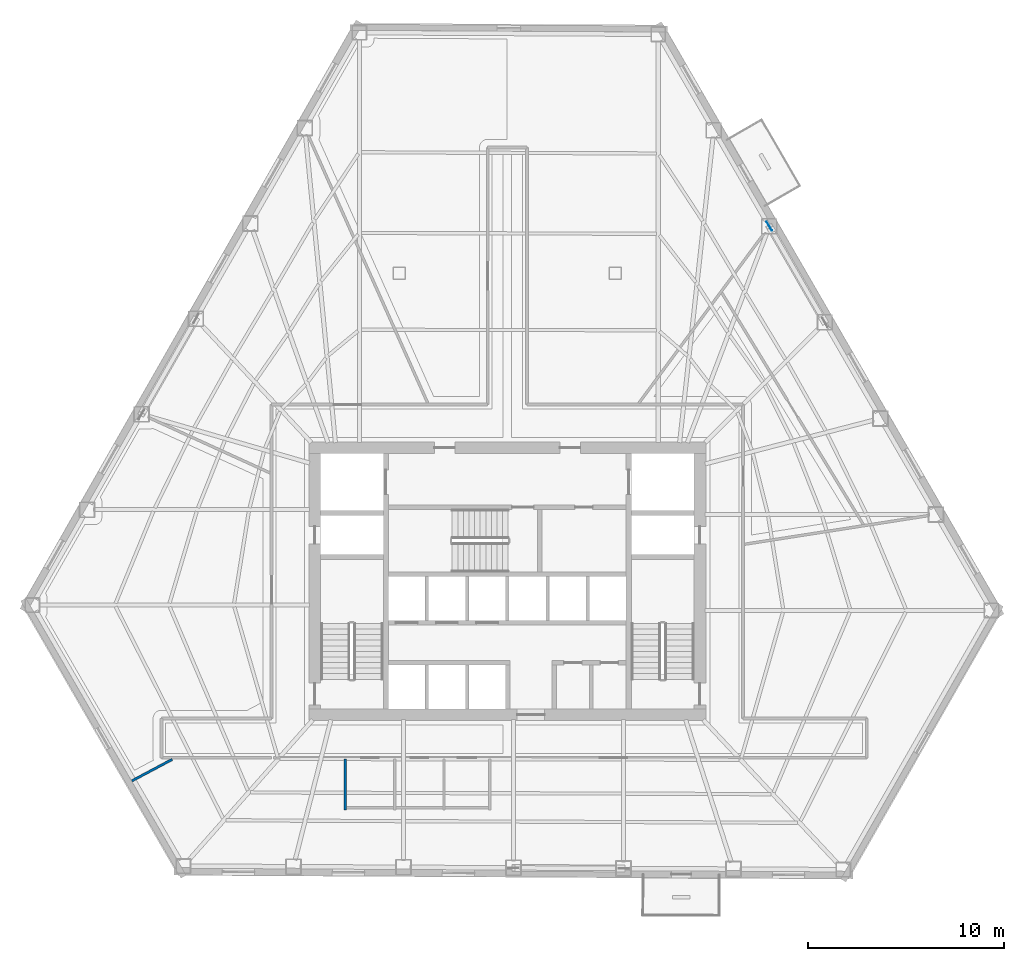
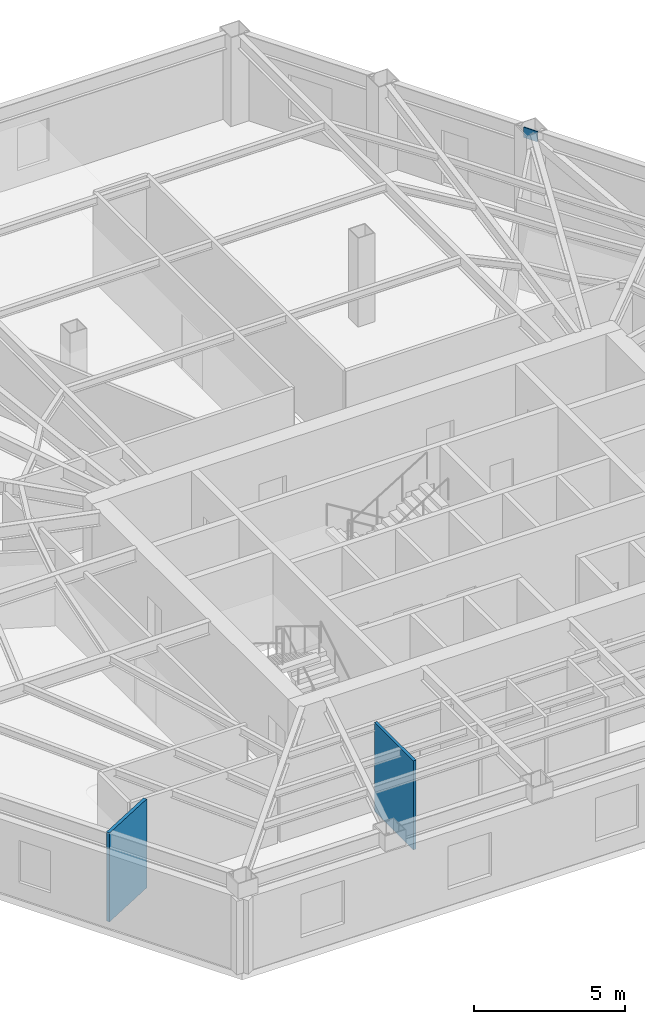
# One storey, part 5 of 12: 2 walls, 1 plate.
"""IFC4 building model written with IfcOpenShell, lengths in metres."""

from ifc_helpers import new_model, si_unit, direction, frame, frame_2d, origin, origin_2d, place, context, subcontext, project, spatial, rectangle, extrude, material, layer, layer_set, type_object, element, save


model = new_model("IFC4")

# Units and contexts
model_context = context("Model", 3, precision=1e-05, world=origin(), true_north=direction((0.0, 1.0)))
body_context = subcontext(model_context, "Body", "Model", "MODEL_VIEW")
ifc_project = project(units=[si_unit("LENGTHUNIT", "METRE"), si_unit("AREAUNIT", "SQUARE_METRE"), si_unit("VOLUMEUNIT", "CUBIC_METRE"), si_unit("PLANEANGLEUNIT", "RADIAN"), si_unit("MASSUNIT", "GRAM", prefix="KILO")], contexts=[model_context])

# Site, building, storey
site_placement = place(None, origin())
site = spatial("IfcSite", under=ifc_project, at=site_placement, CompositionType="ELEMENT")
building_placement = place(site_placement, origin())
building = spatial("IfcBuilding", under=site, at=building_placement, Name="Kavelnor Concourse Tower", CompositionType="ELEMENT")
storey_placement = place(building_placement, frame((0.0, 0.0, 40.64990234375)))
storey = spatial("IfcBuildingStorey", under=building, at=storey_placement, Name="L10", CompositionType="ELEMENT", Elevation=40.64990234375)

# Plate
ifc_material_1 = material(Name="Steel Grade 350", Category="steel")
ifc_layer_1 = layer(ifc_material_1, 0.031982421875, Name="Steel Grade 350")
ifc_layer_set_1 = layer_set([ifc_layer_1], Name="Steel Grade 350")
plate_type = type_object("IfcPlateType", Name="PL-GUSSET-TUBE-Z1", PredefinedType="USERDEFINED", material=ifc_layer_set_1)
plate_placement = place(storey_placement, frame((51.349853515625, 34.19970703125, 3.07421875), z_axis=(0.0, 0.0, 1.0), x_axis=(-0.500604477892, 0.865676126917, 0.0)))
element("IfcPlate", 1, at=plate_placement, inside=storey, type_object=plate_type, Name="L10 Tube Brace Gusset GP3 F2-B3 End Gusset B", ObjectType="GUSSET_PLATE", PredefinedType="USERDEFINED", context=body_context, shape_type="SweptSolid", body=[
    extrude(rectangle(XDim=0.52001953125, YDim=0.031982421875, at=origin_2d()), origin(), (0.0, 0.0, 1.0), 0.419921875),
])

# Walls
ifc_material_2 = material(Name="Gypsum plasterboard on light-gauge steel studs", Category="steel")
ifc_layer_2 = layer(ifc_material_2, 0.125, Name="Gypsum plasterboard on light-gauge steel studs")
ifc_layer_set_2 = layer_set([ifc_layer_2], Name="Gypsum plasterboard on light-gauge steel studs")
wall_type_1 = type_object("IfcWallType", Name="WL-INT-SUITE-125", PredefinedType="PARTITIONING", material=ifc_layer_set_2)
wall_1_placement = place(storey_placement, frame((20.922119140625, 7.01953125, 0.0), z_axis=(0.0, 0.0, 1.0), x_axis=(-0.882918663143, -0.469525967625, 0.0)))
element("IfcWall", 2, at=wall_1_placement, inside=storey, type_object=wall_type_1, Name="L10 Radial Suite Partition 05", PredefinedType="PARTITIONING", context=body_context, shape_type="SweptSolid", body=[
    extrude(rectangle(XDim=2.326904296875, YDim=0.125, at=frame_2d((1.16357421875, 0.0))), origin(), (0.0, 0.0, 1.0), 3.590087890625),
])
ifc_layer_3 = layer(ifc_material_2, 0.110107421875, Name="Gypsum plasterboard on light-gauge steel studs")
ifc_layer_set_3 = layer_set([ifc_layer_3], Name="Gypsum plasterboard on light-gauge steel studs")
wall_type_2 = type_object("IfcWallType", Name="WL-INT-WC-110", PredefinedType="PLUMBINGWALL", material=ifc_layer_set_3)
wall_2_placement = place(storey_placement, frame((29.739990234375, 4.449951171875, 0.0), z_axis=(0.0, 0.0, 1.0), x_axis=(0.0, 1.0, 0.0)))
element("IfcWall", 3, at=wall_2_placement, inside=storey, type_object=wall_type_2, Name="L10 Sanitary Partition WL-L10-WC-W", PredefinedType="PLUMBINGWALL", context=body_context, shape_type="SweptSolid", body=[
    extrude(rectangle(XDim=2.580078125, YDim=0.110107421875, at=frame_2d((1.2900390625, 0.0))), origin(), (0.0, 0.0, 1.0), 3.590087890625),
])

save(model, "model.ifc")
